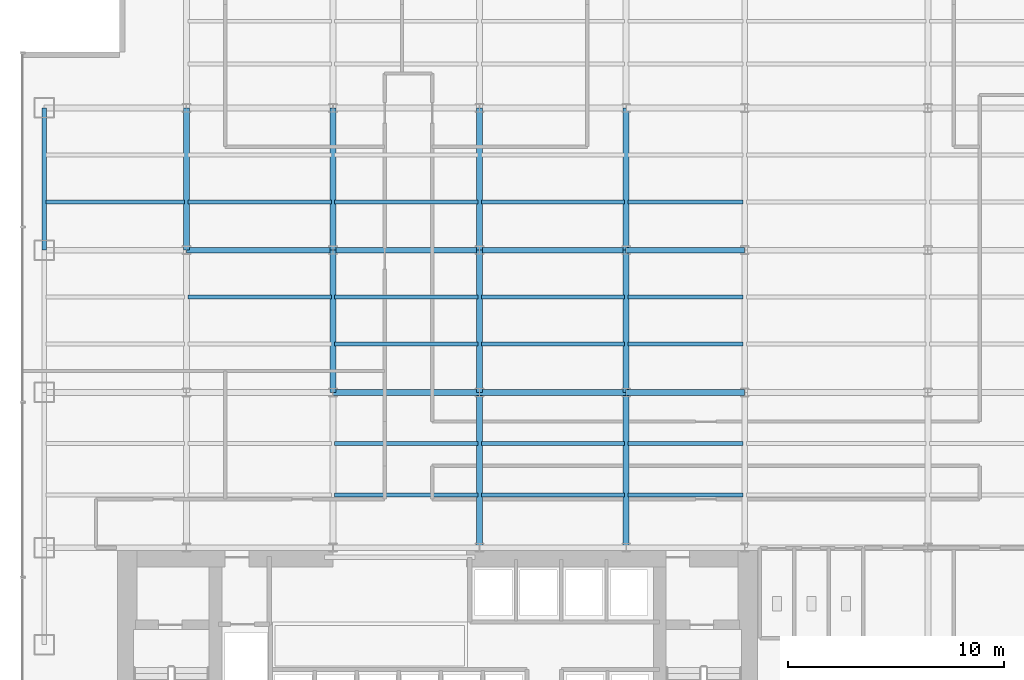
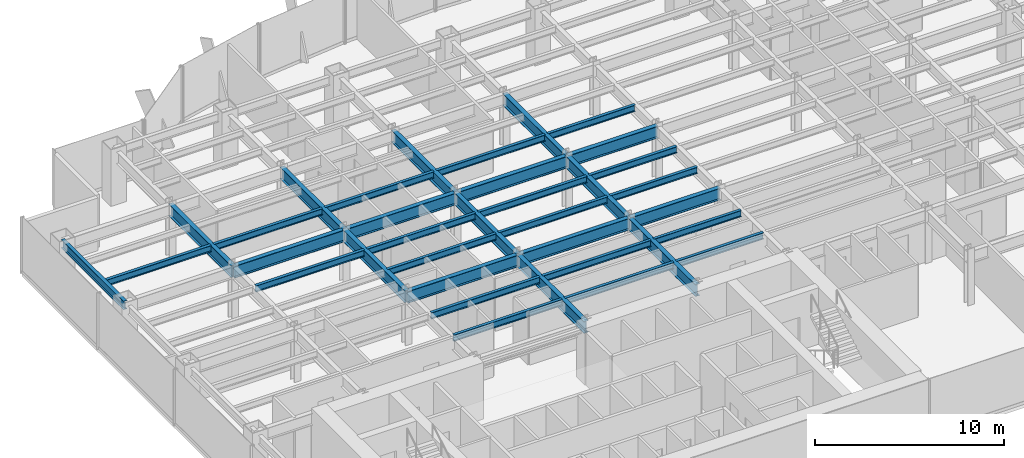
# One storey, part 5 of 22: 35 beams.
"""IFC4 building model written with IfcOpenShell, lengths in metres."""

from ifc_helpers import new_model, si_unit, derived_unit, direction, frame, origin, origin_2d, place, context, subcontext, project, spatial, i_section, extrude, source, transform, mapped, material, material_profile, profile_set, type_object, element, save


model = new_model("IFC4")

# Units and contexts
model_context = context("Model", 3, precision=1e-05, world=origin(), true_north=direction((0.0, 1.0)))
body_context = subcontext(model_context, "Body", "Model", "MODEL_VIEW")
ifc_project = project(units=[si_unit("LENGTHUNIT", "METRE"), si_unit("AREAUNIT", "SQUARE_METRE"), si_unit("VOLUMEUNIT", "CUBIC_METRE"), si_unit("PLANEANGLEUNIT", "RADIAN"), si_unit("MASSUNIT", "GRAM", prefix="KILO"), derived_unit("THERMALTRANSMITTANCEUNIT", [(si_unit("POWERUNIT", "WATT"), 1), (si_unit("LENGTHUNIT", "METRE"), -2), (si_unit("THERMODYNAMICTEMPERATUREUNIT", "KELVIN"), -1)])], contexts=[model_context])

# Site, building, storey
site_placement = place(None, origin())
site = spatial("IfcSite", under=ifc_project, at=site_placement, CompositionType="ELEMENT")
building_placement = place(site_placement, origin())
building = spatial("IfcBuilding", under=site, at=building_placement, Name="Skarnbrae Concourse Arena and Tower", CompositionType="ELEMENT")
storey_placement = place(building_placement, frame((0.0, 0.0, 39.800048828125)))
storey = spatial("IfcBuildingStorey", under=building, at=storey_placement, Name="L08", CompositionType="ELEMENT", Elevation=39.800048828125)

# Beams
ifc_material = material(Name="Steel CSA G40.21 350W", Category="steel")
ifc_material_profile_1 = material_profile(ifc_material, i_section(OverallWidth=0.26806640625, OverallDepth=0.77001953125, WebThickness=0.015625, FlangeThickness=0.025390625, at=origin_2d()), Name="W760X196")
ifc_profile_set_1 = profile_set([ifc_material_profile_1], Name="Steel CSA G40.21 350W")
beam_type_1 = type_object("IfcBeamType", Name="BM-GIRD-W760X196", PredefinedType="BEAM", material=ifc_profile_set_1)
shared_shape_1 = source(origin(), body_context, "Body", "SweptSolid", [
    extrude(i_section(OverallWidth=0.26806640625, OverallDepth=0.77001953125, WebThickness=0.015625, FlangeThickness=0.025390625, at=origin_2d()), origin(), (0.0, 0.0, 1.0), 6.60009765625),
])
for number, where, z_axis, x_axis, name in (
    (1, (14.39990234375, 21.199951171875, 3.014892578125), (0.0, 1.0, 0.0), (-1.0, 0.0, 0.0), "L08 Primary N-S girder X14.4-2"),
    (2, (21.199951171875, 21.199951171875, 3.014892578125), (0.0, 1.0, 0.0), (-1.0, 0.0, 0.0), "L08 Primary N-S girder X21.2-2"),
    (3, (28.0, 21.199951171875, 3.014892578125), (0.0, 1.0, 0.0), (-1.0, 0.0, 0.0), "L08 Primary N-S girder X28.0-2"),
):
    element("IfcBeam", number, at=place(storey_placement, frame(where, z_axis=z_axis, x_axis=x_axis)), inside=storey, type_object=beam_type_1, Name=name, PredefinedType="BEAM", context=body_context, shape_type="MappedRepresentation", body=[
        mapped(shared_shape_1, transform((0.0, 0.0, 0.0))),
    ])
shared_shape_2 = source(origin(), body_context, "Body", "SweptSolid", [
    extrude(i_section(OverallWidth=0.26806640625, OverallDepth=0.77001953125, WebThickness=0.015625, FlangeThickness=0.025390625, at=origin_2d()), origin(), (0.0, 0.0, 1.0), 6.7998046875),
])
beam_1_placement = place(storey_placement, frame((7.60009765625, 27.800048828125, 3.014892578125), z_axis=(1.0, 0.0, 0.0), x_axis=(0.0, 1.0, 0.0)))
element("IfcBeam", 4, at=beam_1_placement, inside=storey, type_object=beam_type_1, Name="L08 Primary E-W girder Y27.8-2", PredefinedType="BEAM", context=body_context, shape_type="MappedRepresentation", body=[
    mapped(shared_shape_2, transform((0.0, 0.0, 0.0))),
])
shared_shape_3 = source(origin(), body_context, "Body", "SweptSolid", [
    extrude(i_section(OverallWidth=0.26806640625, OverallDepth=0.77001953125, WebThickness=0.015625, FlangeThickness=0.025390625, at=origin_2d()), origin(), (0.0, 0.0, 1.0), 6.800048828125),
])
for number, where, z_axis, x_axis, name in (
    (5, (14.39990234375, 21.199951171875, 3.014892578125), (1.0, 0.0, 0.0), (0.0, 1.0, 0.0), "L08 Primary E-W girder Y21.2-3"),
    (6, (21.199951171875, 21.199951171875, 3.014892578125), (1.0, 0.0, 0.0), (0.0, 1.0, 0.0), "L08 Primary E-W girder Y21.2-4"),
    (7, (14.39990234375, 27.800048828125, 3.014892578125), (1.0, 0.0, 0.0), (0.0, 1.0, 0.0), "L08 Primary E-W girder Y27.8-3"),
    (8, (21.199951171875, 27.800048828125, 3.014892578125), (1.0, 0.0, 0.0), (0.0, 1.0, 0.0), "L08 Primary E-W girder Y27.8-4"),
):
    element("IfcBeam", number, at=place(storey_placement, frame(where, z_axis=z_axis, x_axis=x_axis)), inside=storey, type_object=beam_type_1, Name=name, PredefinedType="BEAM", context=body_context, shape_type="MappedRepresentation", body=[
        mapped(shared_shape_3, transform((0.0, 0.0, 0.0))),
    ])
shared_shape_4 = source(origin(), body_context, "Body", "SweptSolid", [
    extrude(i_section(OverallWidth=0.26806640625, OverallDepth=0.77001953125, WebThickness=0.015625, FlangeThickness=0.025390625, at=origin_2d()), origin(), (0.0, 0.0, 1.0), 5.5),
])
for number, where, z_axis, x_axis, name in (
    (9, (28.0, 21.199951171875, 3.014892578125), (1.0, 0.0, 0.0), (0.0, 1.0, 0.0), "L08 Primary E-W girder Y21.2-5"),
    (10, (28.0, 27.800048828125, 3.014892578125), (1.0, 0.0, 0.0), (0.0, 1.0, 0.0), "L08 Primary E-W girder Y27.8-5"),
):
    element("IfcBeam", number, at=place(storey_placement, frame(where, z_axis=z_axis, x_axis=x_axis)), inside=storey, type_object=beam_type_1, Name=name, PredefinedType="BEAM", context=body_context, shape_type="MappedRepresentation", body=[
        mapped(shared_shape_4, transform((0.0, 0.0, 0.0))),
    ])
ifc_material_profile_2 = material_profile(ifc_material, i_section(OverallWidth=0.214111328125, OverallDepth=0.549072265625, WebThickness=0.0146484375, FlangeThickness=0.023681640625, at=origin_2d()), Name="W530X138")
ifc_profile_set_2 = profile_set([ifc_material_profile_2], Name="Steel CSA G40.21 350W")
beam_type_2 = type_object("IfcBeamType", Name="BM-SPAN-W530X138", PredefinedType="SPANDREL", material=ifc_profile_set_2)
shared_shape_5 = source(origin(), body_context, "Body", "SweptSolid", [
    extrude(i_section(OverallWidth=0.214111328125, OverallDepth=0.549072265625, WebThickness=0.0146484375, FlangeThickness=0.023681640625, at=origin_2d()), origin(), (0.0, 0.0, 1.0), 6.599853515625),
])
beam_2_placement = place(storey_placement, frame((1.0, 27.800048828125, 3.12548828125), z_axis=(0.0, 1.0, 0.0), x_axis=(-1.0, 0.0, 0.0)))
element("IfcBeam", 11, at=beam_2_placement, inside=storey, type_object=beam_type_2, Name="L08 Perimeter spandrel X1.0-4", PredefinedType="SPANDREL", context=body_context, shape_type="MappedRepresentation", body=[
    mapped(shared_shape_5, transform((0.0, 0.0, 0.0))),
])
shared_shape_6 = source(origin(), body_context, "Body", "SweptSolid", [
    extrude(i_section(OverallWidth=0.26806640625, OverallDepth=0.77001953125, WebThickness=0.015625, FlangeThickness=0.025390625, at=origin_2d()), origin(), (0.0, 0.0, 1.0), 7.199951171875),
])
for number, where, z_axis, x_axis, name in (
    (12, (21.199951171875, 14.0, 3.014892578125), (0.0, 1.0, 0.0), (-1.0, 0.0, 0.0), "L08 Primary N-S girder X21.2-1"),
    (13, (28.0, 14.0, 3.014892578125), (0.0, 1.0, 0.0), (-1.0, 0.0, 0.0), "L08 Primary N-S girder X28.0-1"),
):
    element("IfcBeam", number, at=place(storey_placement, frame(where, z_axis=z_axis, x_axis=x_axis)), inside=storey, type_object=beam_type_1, Name=name, PredefinedType="BEAM", context=body_context, shape_type="MappedRepresentation", body=[
        mapped(shared_shape_6, transform((0.0, 0.0, 0.0))),
    ])
shared_shape_7 = source(origin(), body_context, "Body", "SweptSolid", [
    extrude(i_section(OverallWidth=0.26806640625, OverallDepth=0.77001953125, WebThickness=0.015625, FlangeThickness=0.025390625, at=origin_2d()), origin(), (0.0, 0.0, 1.0), 6.599853515625),
])
for number, where, z_axis, x_axis, name in (
    (14, (7.60009765625, 27.800048828125, 3.014892578125), (0.0, 1.0, 0.0), (-1.0, 0.0, 0.0), "L08 Primary N-S girder X7.6-3"),
    (15, (14.39990234375, 27.800048828125, 3.014892578125), (0.0, 1.0, 0.0), (-1.0, 0.0, 0.0), "L08 Primary N-S girder X14.4-3"),
    (16, (21.199951171875, 27.800048828125, 3.014892578125), (0.0, 1.0, 0.0), (-1.0, 0.0, 0.0), "L08 Primary N-S girder X21.2-3"),
    (17, (28.0, 27.800048828125, 3.014892578125), (0.0, 1.0, 0.0), (-1.0, 0.0, 0.0), "L08 Primary N-S girder X28.0-3"),
):
    element("IfcBeam", number, at=place(storey_placement, frame(where, z_axis=z_axis, x_axis=x_axis)), inside=storey, type_object=beam_type_1, Name=name, PredefinedType="BEAM", context=body_context, shape_type="MappedRepresentation", body=[
        mapped(shared_shape_7, transform((0.0, 0.0, 0.0))),
    ])
ifc_material_profile_3 = material_profile(ifc_material, i_section(OverallWidth=0.180908203125, OverallDepth=0.4169921875, WebThickness=0.010986328125, FlangeThickness=0.018310546875, at=origin_2d()), Name="W410X85")
ifc_profile_set_3 = profile_set([ifc_material_profile_3], Name="Steel CSA G40.21 350W")
beam_type_3 = type_object("IfcBeamType", Name="BM-JOIST-W410X85", PredefinedType="JOIST", material=ifc_profile_set_3)
shared_shape_8 = source(origin(), body_context, "Body", "SweptSolid", [
    extrude(i_section(OverallWidth=0.180908203125, OverallDepth=0.4169921875, WebThickness=0.010986328125, FlangeThickness=0.018310546875, at=origin_2d()), origin(), (0.0, 0.0, 1.0), 6.43994140625),
])
beam_3_placement = place(storey_placement, frame((1.080078125, 30.0439453125, 3.19140625), z_axis=(1.0, 0.0, 0.0), x_axis=(0.0, 1.0, 0.0)))
element("IfcBeam", 18, at=beam_3_placement, inside=storey, type_object=beam_type_3, Name="L08 Secondary floor joist 3.1.1", PredefinedType="JOIST", context=body_context, shape_type="MappedRepresentation", body=[
    mapped(shared_shape_8, transform((0.0, 0.0, 0.0))),
])
shared_shape_9 = source(origin(), body_context, "Body", "SweptSolid", [
    extrude(i_section(OverallWidth=0.180908203125, OverallDepth=0.4169921875, WebThickness=0.010986328125, FlangeThickness=0.018310546875, at=origin_2d()), origin(), (0.0, 0.0, 1.0), 6.64013671875),
])
for number, where, z_axis, x_axis, name in (
    (19, (14.47998046875, 16.447998046875, 3.19140625), (1.0, 0.0, 0.0), (0.0, 1.0, 0.0), "L08 Secondary floor joist 1.1.3"),
    (20, (14.47998046875, 18.823974609375, 3.19140625), (1.0, 0.0, 0.0), (0.0, 1.0, 0.0), "L08 Secondary floor joist 1.2.3"),
    (21, (14.47998046875, 23.444091796875, 3.19140625), (1.0, 0.0, 0.0), (0.0, 1.0, 0.0), "L08 Secondary floor joist 2.1.3"),
    (22, (7.679931640625, 25.6220703125, 3.19140625), (1.0, 0.0, 0.0), (0.0, 1.0, 0.0), "L08 Secondary floor joist 2.2.2"),
    (23, (14.47998046875, 25.6220703125, 3.19140625), (1.0, 0.0, 0.0), (0.0, 1.0, 0.0), "L08 Secondary floor joist 2.2.3"),
    (24, (7.679931640625, 30.0439453125, 3.19140625), (1.0, 0.0, 0.0), (0.0, 1.0, 0.0), "L08 Secondary floor joist 3.1.2"),
    (25, (14.47998046875, 30.0439453125, 3.19140625), (1.0, 0.0, 0.0), (0.0, 1.0, 0.0), "L08 Secondary floor joist 3.1.3"),
):
    element("IfcBeam", number, at=place(storey_placement, frame(where, z_axis=z_axis, x_axis=x_axis)), inside=storey, type_object=beam_type_3, Name=name, PredefinedType="JOIST", context=body_context, shape_type="MappedRepresentation", body=[
        mapped(shared_shape_9, transform((0.0, 0.0, 0.0))),
    ])
shared_shape_10 = source(origin(), body_context, "Body", "SweptSolid", [
    extrude(i_section(OverallWidth=0.180908203125, OverallDepth=0.4169921875, WebThickness=0.010986328125, FlangeThickness=0.018310546875, at=origin_2d()), origin(), (0.0, 0.0, 1.0), 6.639892578125),
])
for number, where, z_axis, x_axis, name in (
    (26, (21.280029296875, 16.447998046875, 3.19140625), (1.0, 0.0, 0.0), (0.0, 1.0, 0.0), "L08 Secondary floor joist 1.1.4"),
    (27, (21.280029296875, 18.823974609375, 3.19140625), (1.0, 0.0, 0.0), (0.0, 1.0, 0.0), "L08 Secondary floor joist 1.2.4"),
    (28, (21.280029296875, 23.444091796875, 3.19140625), (1.0, 0.0, 0.0), (0.0, 1.0, 0.0), "L08 Secondary floor joist 2.1.4"),
    (29, (21.280029296875, 25.6220703125, 3.19140625), (1.0, 0.0, 0.0), (0.0, 1.0, 0.0), "L08 Secondary floor joist 2.2.4"),
    (30, (21.280029296875, 30.0439453125, 3.19140625), (1.0, 0.0, 0.0), (0.0, 1.0, 0.0), "L08 Secondary floor joist 3.1.4"),
):
    element("IfcBeam", number, at=place(storey_placement, frame(where, z_axis=z_axis, x_axis=x_axis)), inside=storey, type_object=beam_type_3, Name=name, PredefinedType="JOIST", context=body_context, shape_type="MappedRepresentation", body=[
        mapped(shared_shape_10, transform((0.0, 0.0, 0.0))),
    ])
shared_shape_11 = source(origin(), body_context, "Body", "SweptSolid", [
    extrude(i_section(OverallWidth=0.180908203125, OverallDepth=0.4169921875, WebThickness=0.010986328125, FlangeThickness=0.018310546875, at=origin_2d()), origin(), (0.0, 0.0, 1.0), 5.33984375),
])
for number, where, z_axis, x_axis, name in (
    (31, (28.080078125, 16.447998046875, 3.19140625), (1.0, 0.0, 0.0), (0.0, 1.0, 0.0), "L08 Secondary floor joist 1.1.5"),
    (32, (28.080078125, 18.823974609375, 3.19140625), (1.0, 0.0, 0.0), (0.0, 1.0, 0.0), "L08 Secondary floor joist 1.2.5"),
    (33, (28.080078125, 23.444091796875, 3.19140625), (1.0, 0.0, 0.0), (0.0, 1.0, 0.0), "L08 Secondary floor joist 2.1.5"),
    (34, (28.080078125, 25.6220703125, 3.19140625), (1.0, 0.0, 0.0), (0.0, 1.0, 0.0), "L08 Secondary floor joist 2.2.5"),
    (35, (28.080078125, 30.0439453125, 3.19140625), (1.0, 0.0, 0.0), (0.0, 1.0, 0.0), "L08 Secondary floor joist 3.1.5"),
):
    element("IfcBeam", number, at=place(storey_placement, frame(where, z_axis=z_axis, x_axis=x_axis)), inside=storey, type_object=beam_type_3, Name=name, PredefinedType="JOIST", context=body_context, shape_type="MappedRepresentation", body=[
        mapped(shared_shape_11, transform((0.0, 0.0, 0.0))),
    ])

save(model, "model.ifc")
